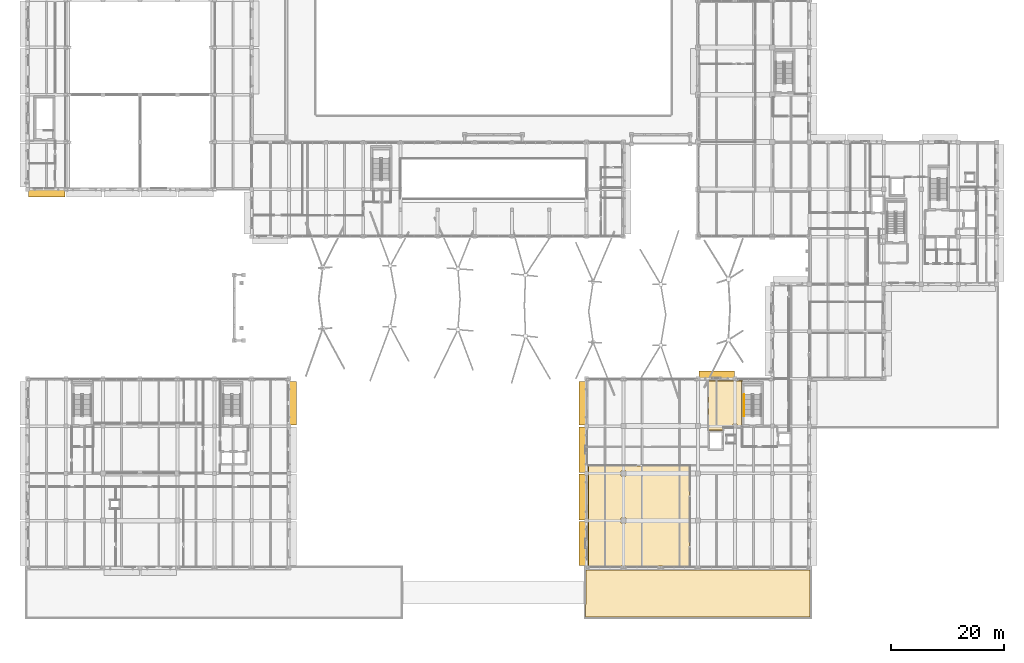
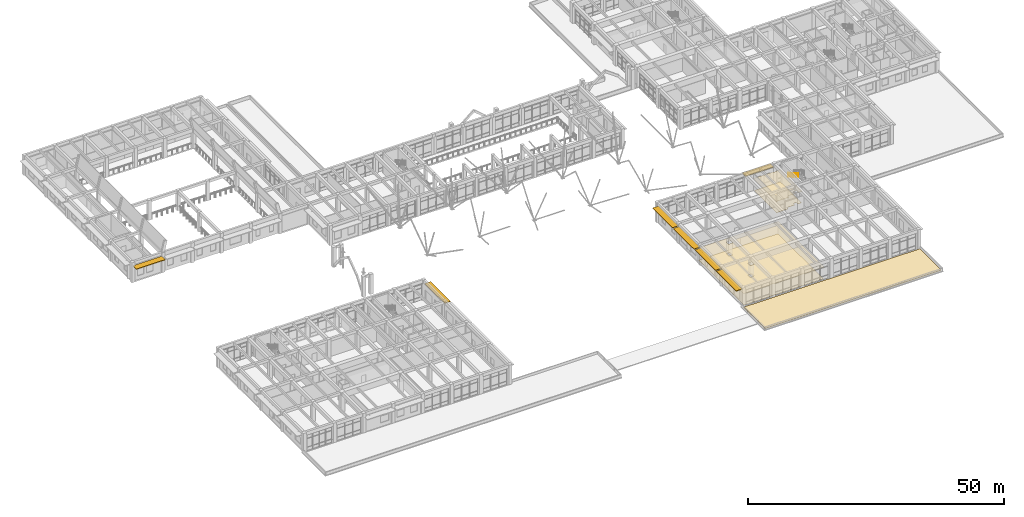
# One storey, part 66 of 75: 7 shading devices, 5 coverings, 1 railing.
"""IFC4 building model written with IfcOpenShell, lengths in metres."""

from ifc_helpers import new_model, si_unit, direction, frame, origin, origin_2d, place, context, subcontext, project, spatial, polyline, rectangle, circle, outline, extrude, material, layer, layer_set, type_object, element, save


model = new_model("IFC4")

# Units and contexts
model_context = context("Model", 3, precision=1e-05, world=origin(), true_north=direction((0.0, 1.0)))
body_context = subcontext(model_context, "Body", "Model", "MODEL_VIEW")
ifc_project = project(units=[si_unit("LENGTHUNIT", "METRE"), si_unit("AREAUNIT", "SQUARE_METRE"), si_unit("VOLUMEUNIT", "CUBIC_METRE"), si_unit("PLANEANGLEUNIT", "RADIAN"), si_unit("MASSUNIT", "GRAM", prefix="KILO")], contexts=[model_context])

# Site, building, storey
site_placement = place(None, origin())
site = spatial("IfcSite", under=ifc_project, at=site_placement, CompositionType="ELEMENT")
building_placement = place(site_placement, origin())
building = spatial("IfcBuilding", under=site, at=building_placement, Name="Kolvaren Faculty of Natural Sciences", CompositionType="ELEMENT")
storey_placement = place(building_placement, frame((0.0, 0.0, 5.39990234375)))
storey = spatial("IfcBuildingStorey", under=building, at=storey_placement, Name="L01", CompositionType="ELEMENT", Elevation=5.39990234375)

# Coverings
ifc_material_1 = material(Name="Perforated mineral-fibre acoustic suspended ceiling tile")
ifc_layer_1 = layer(ifc_material_1, 0.02490234375)
ifc_layer_set_1 = layer_set([ifc_layer_1], Name="Perforated mineral-fibre acoustic suspended ceiling tile")
covering_type_1 = type_object("IfcCoveringType", Name="AcousticSuspendedCeiling_25", PredefinedType="CEILING", material=ifc_layer_set_1)
covering_1_placement = place(storey_placement, frame((0.0, 0.0, 2.8251953125)))
element("IfcCovering", 1, at=covering_1_placement, inside=storey, type_object=covering_type_1, Name="L01 L01 Computational Science Studio acoustic ceiling", PredefinedType="CEILING", context=body_context, shape_type="SweptSolid", body=[
    extrude(outline(polyline([(99.43994140625, 16.64990234375), (99.550048828125, 16.64990234375), (99.550048828125, 17.35009765625), (99.43994140625, 17.35009765625), (99.43994140625, 25.050048828125), (99.550048828125, 25.050048828125), (99.550048828125, 25.75), (99.43994140625, 25.75), (99.43994140625, 26.8798828125), (117.679931640625, 26.8798828125), (117.679931640625, 8.840087890625), (112.75, 8.840087890625), (112.75, 8.949951171875), (112.050048828125, 8.949951171875), (112.050048828125, 8.840087890625), (106.14990234375, 8.840087890625), (106.14990234375, 8.949951171875), (105.449951171875, 8.949951171875), (105.449951171875, 8.840087890625), (99.550048828125, 8.840087890625), (99.550048828125, 8.949951171875), (99.43994140625, 8.949951171875), (99.43994140625, 16.64990234375)]), holes=[polyline([(106.25, 17.449951171875), (105.35009765625, 17.449951171875), (105.35009765625, 16.550048828125), (106.25, 16.550048828125), (106.25, 17.449951171875)]), polyline([(106.25, 25.85009765625), (105.35009765625, 25.85009765625), (105.35009765625, 24.949951171875), (106.25, 24.949951171875), (106.25, 25.85009765625)])]), origin(), (0.0, 0.0, 1.0), 0.02490234375),
])
covering_2_placement = place(storey_placement, frame((0.0, 0.0, 2.8251953125)))
element("IfcCovering", 2, at=covering_2_placement, inside=storey, type_object=covering_type_1, Name="L01 L01 Clean Calibration Preparation Room acoustic ceiling", PredefinedType="CEILING", context=body_context, shape_type="SweptSolid", body=[
    extrude(outline(polyline([(125.25, 41.9599609375), (125.25, 41.85009765625), (125.949951171875, 41.85009765625), (125.949951171875, 41.9599609375), (126.929931640625, 41.9599609375), (126.929931640625, 41.594970703125), (126.905029296875, 41.594970703125), (126.905029296875, 33.780029296875), (126.929931640625, 33.780029296875), (126.929931640625, 33.419921875), (123.580078125, 33.419921875), (123.580078125, 32.919921875), (120.719970703125, 32.919921875), (120.719970703125, 41.9599609375), (125.25, 41.9599609375)]), holes=[polyline([(125.949951171875, 34.14990234375), (125.25, 34.14990234375), (125.25, 33.449951171875), (125.949951171875, 33.449951171875), (125.949951171875, 34.14990234375)])]), origin(), (0.0, 0.0, 1.0), 0.02490234375),
])

# Shading devices
ifc_material_2 = material(Name="Precast concrete C35/45", Category="concrete")
ifc_layer_2 = layer(ifc_material_2, 0.1201171875)
ifc_layer_set_2 = layer_set([ifc_layer_2], Name="Precast concrete C35/45")
shading_device_type = type_object("IfcShadingDeviceType", Name="ChhajjaSolarHood_1350", PredefinedType="AWNING", material=ifc_layer_set_2)
for number, where, z_axis, x_axis, name in (
    (3, (47.054931640625, 37.840087890625, 3.844970703125), (0.0, 0.0, 1.0), (0.0, -1.0, 0.0), "L01 precast sandstone chhajja solar hood 28"),
    (4, (98.544921875, 12.9599609375, 3.844970703125), (0.0, 0.0, 1.0), (0.0, 1.0, 0.0), "L01 precast sandstone chhajja solar hood 60"),
):
    element("IfcShadingDevice", number, at=place(storey_placement, frame(where, z_axis=z_axis, x_axis=x_axis)), inside=storey, type_object=shading_device_type, Name=name, PredefinedType="AWNING", context=body_context, shape_type="SweptSolid", body=[
        extrude(rectangle(XDim=7.780029296875, YDim=1.35009765625, at=origin_2d()), origin(), (0.0, 0.0, 1.0), 0.1201171875),
    ])
for number, where, z_axis, x_axis, name in (
    (5, (98.544921875, 21.199951171875, 3.844970703125), (0.0, 0.0, 1.0), (0.0, 1.0, 0.0), "L01 precast sandstone chhajja solar hood 61"),
    (6, (98.544921875, 29.60009765625, 3.844970703125), (0.0, 0.0, 1.0), (0.0, 1.0, 0.0), "L01 precast sandstone chhajja solar hood 62"),
):
    element("IfcShadingDevice", number, at=place(storey_placement, frame(where, z_axis=z_axis, x_axis=x_axis)), inside=storey, type_object=shading_device_type, Name=name, PredefinedType="AWNING", context=body_context, shape_type="SweptSolid", body=[
        extrude(rectangle(XDim=8.10009765625, YDim=1.35009765625, at=origin_2d()), origin(), (0.0, 0.0, 1.0), 0.1201171875),
    ])
shading_device_1_placement = place(storey_placement, frame((98.544921875, 37.840087890625, 3.844970703125), z_axis=(0.0, 0.0, 1.0), x_axis=(0.0, 1.0, 0.0)))
element("IfcShadingDevice", 7, at=shading_device_1_placement, inside=storey, type_object=shading_device_type, Name="L01 precast sandstone chhajja solar hood 63", PredefinedType="AWNING", context=body_context, shape_type="SweptSolid", body=[
    extrude(rectangle(XDim=7.780029296875, YDim=1.35009765625, at=origin_2d()), origin(), (0.0, 0.0, 1.0), 0.1201171875),
])
shading_device_2_placement = place(storey_placement, frame((122.300048828125, 42.85498046875, 3.695068359375), z_axis=(0.0, 0.0, 1.0), x_axis=(1.0, 0.0, 0.0)))
element("IfcShadingDevice", 8, at=shading_device_2_placement, inside=storey, type_object=shading_device_type, Name="L01 precast sandstone chhajja solar hood 64", PredefinedType="AWNING", context=body_context, shape_type="SweptSolid", body=[
    extrude(rectangle(XDim=6.300048828125, YDim=1.35009765625, at=origin_2d()), origin(), (0.0, 0.0, 1.0), 0.1201171875),
])
shading_device_3_placement = place(storey_placement, frame((3.39990234375, 75.14501953125, 3.594970703125), z_axis=(0.0, 0.0, 1.0), x_axis=(-1.0, 0.0, 0.0)))
element("IfcShadingDevice", 9, at=shading_device_3_placement, inside=storey, type_object=shading_device_type, Name="L01 precast sandstone chhajja solar hood 86", PredefinedType="AWNING", context=body_context, shape_type="SweptSolid", body=[
    extrude(rectangle(XDim=6.5, YDim=1.35009765625, at=origin_2d()), origin(), (0.0, 0.0, 1.0), 0.1201171875),
])

# Coverings
ifc_material_3 = material(Name="SBS polymer-modified bitumen waterproofing membrane over PIR insulation")
ifc_layer_3 = layer(ifc_material_3, 0.139892578125)
ifc_layer_set_3 = layer_set([ifc_layer_3], Name="SBS polymer-modified bitumen waterproofing membrane over PIR insulation")
covering_type_2 = type_object("IfcCoveringType", Name="InsulatedRoofMembrane_140", PredefinedType="ROOFING", material=ifc_layer_set_3)
covering_3_placement = place(storey_placement, origin())
element("IfcCovering", 10, at=covering_3_placement, inside=storey, type_object=covering_type_2, Name="L01 insulated warm-roof waterproofing membrane 1", PredefinedType="ROOFING", context=body_context, shape_type="SweptSolid", body=[
    extrude(outline(polyline([(99.092529296875, 8.277587890625), (99.095947265625, 8.2763671875), (99.097900390625, 8.27587890625), (99.11279296875, 8.271484375), (99.11474609375, 8.27099609375), (99.146240234375, 8.264404296875), (99.148193359375, 8.263916015625), (99.181884765625, 8.260498046875), (99.18408203125, 8.260498046875), (99.199951171875, 8.260009765625), (138.800048828125, 8.260009765625), (138.81591796875, 8.260498046875), (138.818115234375, 8.260498046875), (138.851806640625, 8.263916015625), (138.853759765625, 8.264404296875), (138.88525390625, 8.27099609375), (138.88720703125, 8.271484375), (138.902099609375, 8.27587890625), (138.904052734375, 8.2763671875), (138.909912109375, 8.278564453125), (138.909912109375, -0.110107421875), (99.090087890625, -0.110107421875), (99.090087890625, 2.1171875), (99.094970703125, 2.1416015625), (99.095458984375, 2.14453125), (99.099609375, 2.18603515625), (99.099853515625, 2.18896484375), (99.10009765625, 2.199951171875), (99.10009765625, 6.199951171875), (99.10009765625, 6.201171875), (99.092529296875, 8.277587890625)])), origin(), (0.0, 0.0, 1.0), 0.14013671875),
])
ifc_material_4 = material(Name="Seamless chemical-resistant laboratory epoxy resin flooring")
ifc_layer_4 = layer(ifc_material_4, 0.02001953125)
ifc_layer_set_4 = layer_set([ifc_layer_4], Name="Seamless chemical-resistant laboratory epoxy resin flooring")
covering_type_3 = type_object("IfcCoveringType", Name="LabEpoxyFloorFinish_20", PredefinedType="FLOORING", material=ifc_layer_set_4)
covering_4_placement = place(storey_placement, origin())
element("IfcCovering", 11, at=covering_4_placement, inside=storey, type_object=covering_type_3, Name="L01 L01 Computational Science Studio floor finish", PredefinedType="FLOORING", context=body_context, shape_type="SweptSolid", body=[
    extrude(outline(polyline([(99.580078125, 8.97998046875), (99.580078125, 26.739990234375), (117.5400390625, 26.739990234375), (117.5400390625, 8.97998046875), (99.580078125, 8.97998046875)]), holes=[polyline([(106.25, 17.449951171875), (105.35009765625, 17.449951171875), (105.35009765625, 16.550048828125), (106.25, 16.550048828125), (106.25, 17.449951171875)]), polyline([(106.25, 25.85009765625), (105.35009765625, 25.85009765625), (105.35009765625, 24.949951171875), (106.25, 24.949951171875), (106.25, 25.85009765625)])]), origin(), (0.0, 0.0, 1.0), 0.02001953125),
])

# Railing
ifc_material_5 = material(Name="Structural steel EN 10210-1 S355J2H", Category="steel")
ifc_layer_5 = layer(ifc_material_5, 0.048095703125)
ifc_layer_set_5 = layer_set([ifc_layer_5], Name="Structural steel EN 10210-1 S355J2H")
railing_type = type_object("IfcRailingType", Name="StairPitchHandrail_920", PredefinedType="HANDRAIL", material=ifc_layer_set_5)
railing_placement = place(storey_placement, frame((127.199951171875, 39.385009765625, 2.571533203125)))
element("IfcRailing", 12, at=railing_placement, inside=storey, type_object=railing_type, Name="L01 ST-3 stair handrail 2", PredefinedType="HANDRAIL", context=body_context, shape_type="SweptSolid", body=[
    extrude(circle(Radius=0.02392578125, at=origin_2d()), frame((0.0, 0.0, 0.8759765625), z_axis=(0.0, -0.86461618451, 0.502432934314), x_axis=(1.0, 0.0, 0.0)), (0.0, 0.0, 1.0), 4.435546875),
    extrude(circle(Radius=0.02099609375, at=origin_2d()), origin(), (0.0, 0.0, 1.0), 0.851806640625),
    extrude(circle(Radius=0.02099609375, at=origin_2d()), frame((0.0, -0.958740234375, 0.55712890625)), (0.0, 0.0, 1.0), 0.851806640625),
    extrude(circle(Radius=0.02099609375, at=origin_2d()), frame((0.0, -1.91748046875, 1.1142578125)), (0.0, 0.0, 1.0), 0.851806640625),
    extrude(circle(Radius=0.02099609375, at=origin_2d()), frame((0.0, -2.876220703125, 1.67138671875)), (0.0, 0.0, 1.0), 0.851806640625),
    extrude(circle(Radius=0.02099609375, at=origin_2d()), frame((0.0, -3.8349609375, 2.228515625)), (0.0, 0.0, 1.0), 0.851806640625),
])

# Covering
ifc_material_6 = material(Name="Polished Uruguayan grey granite terrazzo flooring", Category="masonry")
ifc_layer_6 = layer(ifc_material_6, 0.030029296875)
ifc_layer_set_6 = layer_set([ifc_layer_6], Name="Polished Uruguayan grey granite terrazzo flooring")
covering_type_4 = type_object("IfcCoveringType", Name="TerrazzoFloorFinish_30", PredefinedType="FLOORING", material=ifc_layer_set_6)
covering_5_placement = place(storey_placement, origin())
element("IfcCovering", 13, at=covering_5_placement, inside=storey, type_object=covering_type_4, Name="L01 L01 Clean Calibration Preparation Room floor finish", PredefinedType="FLOORING", context=body_context, shape_type="SweptSolid", body=[
    extrude(outline(polyline([(120.860107421875, 41.820068359375), (126.7900390625, 41.820068359375), (126.7900390625, 41.7236328125), (126.786865234375, 41.721435546875), (126.78271484375, 41.71728515625), (126.778564453125, 41.713134765625), (126.775146484375, 41.708251953125), (126.772216796875, 41.703369140625), (126.76953125, 41.697998046875), (126.767578125, 41.6923828125), (126.76611328125, 41.686767578125), (126.765380859375, 41.680908203125), (126.764892578125, 41.675048828125), (126.764892578125, 33.699951171875), (126.765380859375, 33.694091796875), (126.76611328125, 33.688232421875), (126.767578125, 33.6826171875), (126.76953125, 33.677001953125), (126.772216796875, 33.671630859375), (126.775146484375, 33.666748046875), (126.778564453125, 33.661865234375), (126.78271484375, 33.65771484375), (126.786865234375, 33.653564453125), (126.7900390625, 33.6513671875), (126.7900390625, 33.56005859375), (125.949951171875, 33.56005859375), (125.949951171875, 34.14990234375), (125.25, 34.14990234375), (125.25, 33.56005859375), (123.5, 33.56005859375), (123.494140625, 33.559814453125), (123.48828125, 33.558837890625), (123.482666015625, 33.557373046875), (123.47705078125, 33.555419921875), (123.4716796875, 33.552978515625), (123.466796875, 33.5498046875), (123.4619140625, 33.54638671875), (123.45751953125, 33.54248046875), (123.45361328125, 33.5380859375), (123.4501953125, 33.533203125), (123.447021484375, 33.5283203125), (123.444580078125, 33.52294921875), (123.442626953125, 33.517333984375), (123.441162109375, 33.51171875), (123.440185546875, 33.505859375), (123.43994140625, 33.5), (123.43994140625, 33.06005859375), (120.860107421875, 33.06005859375), (120.860107421875, 41.820068359375)])), origin(), (0.0, 0.0, 1.0), 0.030029296875),
])

save(model, "model.ifc")
